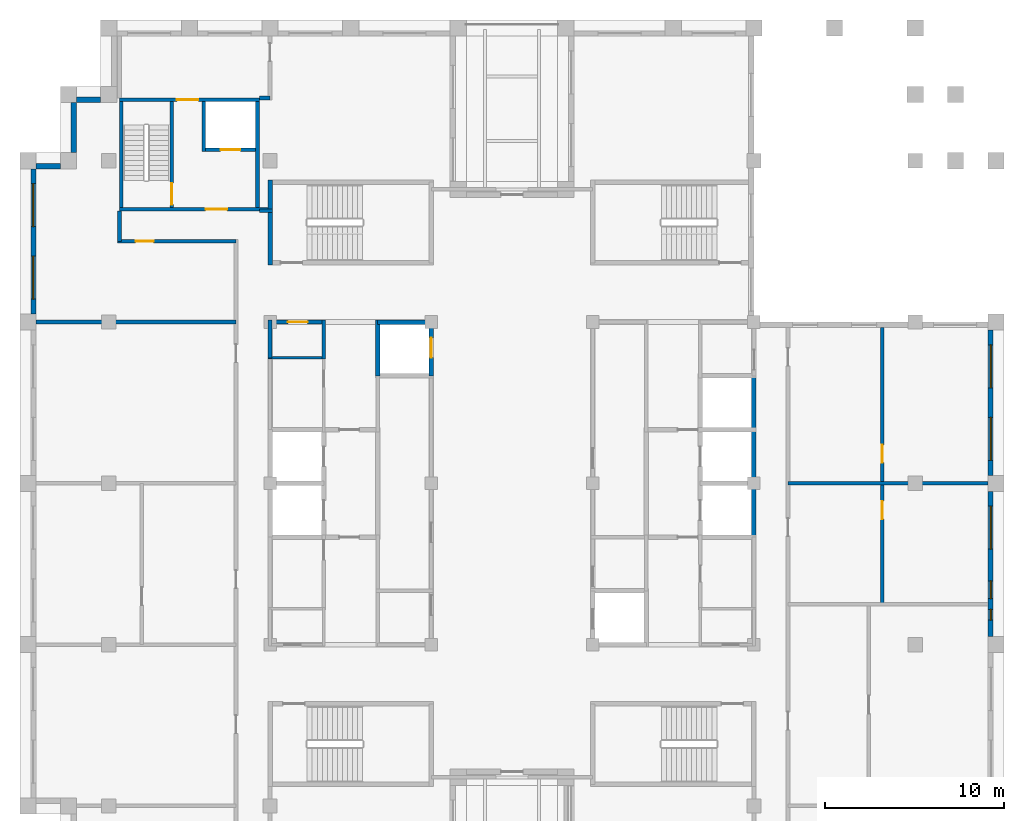
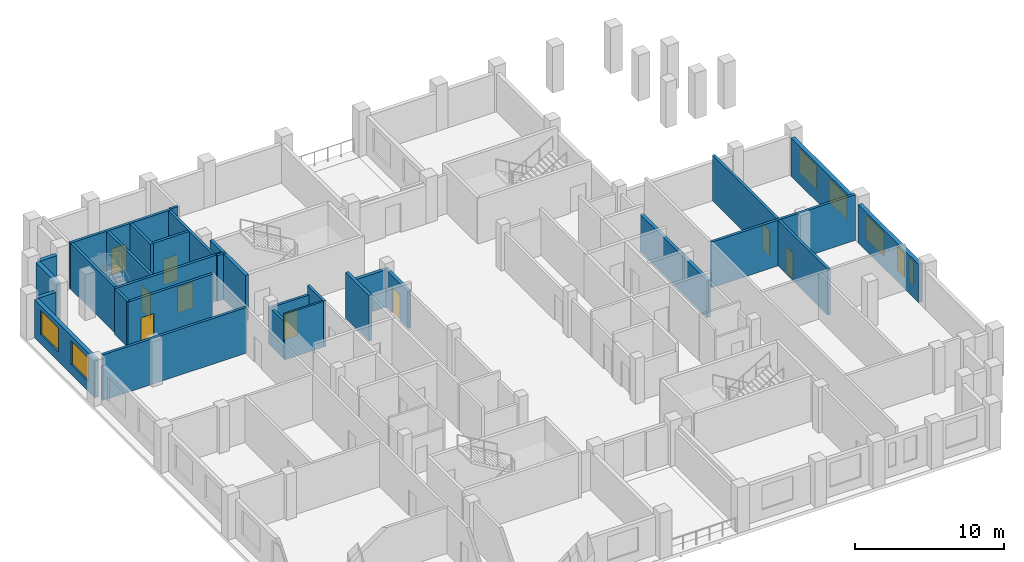
# One storey, part 5 of 8: 29 walls, 9 doors, 7 windows, 16 openings.
"""IFC4 building model written with IfcOpenShell, lengths in metres."""

from ifc_helpers import new_model, si_unit, direction, frame, frame_2d, origin, place, context, subcontext, project, spatial, rectangle, extrude, material, layer, layer_set, type_object, element, fill, save


model = new_model("IFC4")

# Units and contexts
model_context = context("Model", 3, precision=1e-05, world=origin(), true_north=direction((0.0, 1.0)))
body_context = subcontext(model_context, "Body", "Model", "MODEL_VIEW")
ifc_project = project(units=[si_unit("LENGTHUNIT", "METRE"), si_unit("AREAUNIT", "SQUARE_METRE"), si_unit("VOLUMEUNIT", "CUBIC_METRE"), si_unit("PLANEANGLEUNIT", "RADIAN"), si_unit("MASSUNIT", "GRAM", prefix="KILO")], contexts=[model_context])

# Site, building, storey
site_placement = place(None, origin())
site = spatial("IfcSite", under=ifc_project, at=site_placement, CompositionType="ELEMENT")
building_placement = place(site_placement, origin())
building = spatial("IfcBuilding", under=site, at=building_placement, Name="Corbelhall Arena Tower", CompositionType="ELEMENT")
storey_placement = place(building_placement, frame((0.0, 0.0, 326.0)))
storey = spatial("IfcBuildingStorey", under=building, at=storey_placement, Name="L71", CompositionType="ELEMENT", Elevation=326.0)

# Walls
ifc_material_1 = material(Name="Precast concrete C40/50 with granite facing", Category="masonry")
ifc_layer_1 = layer(ifc_material_1, 0.300048828125)
ifc_layer_set_1 = layer_set([ifc_layer_1], Name="EV-IW1 Infill panel 300")
wall_type_1 = type_object("IfcWallType", Name="EV-IW1 Infill panel 300", PredefinedType="SOLIDWALL", material=ifc_layer_set_1)
wall_1_placement = place(storey_placement, frame((-24.449951171875, 21.25, 0.0), z_axis=(0.0, 0.0, 1.0), x_axis=(0.0, -1.0, 0.0)))
element("IfcWall", 1, at=wall_1_placement, inside=storey, type_object=wall_type_1, Name="Infill panel IW1", PredefinedType="SOLIDWALL", context=body_context, shape_type="SweptSolid", body=[
    extrude(rectangle(XDim=2.800048828125, YDim=0.300048828125, at=frame_2d((1.39990234375, 0.0))), origin(), (0.0, 0.0, 1.0), 3.139892578125),
])
wall_2_placement = place(storey_placement, frame((-25.199951171875, 17.699951171875, 0.0), z_axis=(0.0, 0.0, 1.0), x_axis=(-1.0, 0.0, 0.0)))
element("IfcWall", 2, at=wall_2_placement, inside=storey, type_object=wall_type_1, Name="Infill panel IW1", PredefinedType="SOLIDWALL", context=body_context, shape_type="SweptSolid", body=[
    extrude(rectangle(XDim=1.35009765625, YDim=0.300048828125, at=frame_2d((0.675048828125, 0.0))), origin(), (0.0, 0.0, 1.0), 3.139892578125),
])

# Wall, openings, windows
wall_3_placement = place(storey_placement, frame((-26.699951171875, 17.550048828125, 0.0), z_axis=(0.0, 0.0, 1.0), x_axis=(0.0, -1.0, 0.0)))
wall_3 = element("IfcWall", 3, at=wall_3_placement, inside=storey, type_object=wall_type_1, Name="Infill panel IW1", PredefinedType="SOLIDWALL", context=body_context, shape_type="SweptSolid", body=[
    extrude(rectangle(XDim=8.10009765625, YDim=0.300048828125, at=frame_2d((4.050048828125, 0.0))), origin(), (0.0, 0.0, 1.0), 3.139892578125),
])
opening_1_placement = place(wall_3_placement, frame((0.824951171875, 0.0, 0.800048828125)))
opening_1 = element("IfcOpeningElement", 4, at=opening_1_placement, cuts=wall_3, Name="Opening WN1", PredefinedType="OPENING", context=body_context, shape_type="SweptSolid", body=[
    extrude(rectangle(XDim=2.39990234375, YDim=1.949951171875, at=frame_2d((1.199951171875, 0.97509765625))), frame((0.0, 0.14990234375, 0.0), z_axis=(0.0, -1.0, 0.0), x_axis=(1.0, 0.0, 0.0)), (0.0, 0.0, 1.0), 0.300048828125),
])
opening_2_placement = place(wall_3_placement, frame((4.875, 0.0, 0.800048828125)))
opening_2 = element("IfcOpeningElement", 5, at=opening_2_placement, cuts=wall_3, Name="Opening WN1", PredefinedType="OPENING", context=body_context, shape_type="SweptSolid", body=[
    extrude(rectangle(XDim=2.39990234375, YDim=1.949951171875, at=frame_2d((1.199951171875, 0.97509765625))), frame((0.0, 0.14990234375, 0.0), z_axis=(0.0, -1.0, 0.0), x_axis=(1.0, 0.0, 0.0)), (0.0, 0.0, 1.0), 0.300048828125),
])
ifc_material_2 = material(Name="Aluminium black anodised", Category="aluminium")
window_type_1 = type_object("IfcWindowType", Name="EV-WN1 Office window", PartitioningType="SINGLE_PANEL", PredefinedType="WINDOW", material=ifc_material_2)
window_1_placement = place(opening_1_placement, origin())
window_1 = element("IfcWindow", 6, at=window_1_placement, inside=storey, type_object=window_type_1, Name="Window WN1", OverallHeight=1.949951171875, OverallWidth=2.39990234375, PartitioningType="SINGLE_PANEL", PredefinedType="WINDOW", context=body_context, shape_type="SweptSolid", body=[
    extrude(rectangle(XDim=2.39990234375, YDim=1.949951171875, at=frame_2d((1.199951171875, 0.97509765625))), frame((0.0, 0.030029296875, 0.0), z_axis=(0.0, -1.0, 0.0), x_axis=(1.0, 0.0, 0.0)), (0.0, 0.0, 1.0), 0.06005859375),
])
fill(opening_1, window_1)
window_2_placement = place(opening_2_placement, origin())
window_2 = element("IfcWindow", 7, at=window_2_placement, inside=storey, type_object=window_type_1, Name="Window WN1", OverallHeight=1.949951171875, OverallWidth=2.39990234375, PartitioningType="SINGLE_PANEL", PredefinedType="WINDOW", context=body_context, shape_type="SweptSolid", body=[
    extrude(rectangle(XDim=2.39990234375, YDim=1.949951171875, at=frame_2d((1.199951171875, 0.97509765625))), frame((0.0, 0.030029296875, 0.0), z_axis=(0.0, -1.0, 0.0), x_axis=(1.0, 0.0, 0.0)), (0.0, 0.0, 1.0), 0.06005859375),
])
fill(opening_2, window_2)

wall_4_placement = place(storey_placement, frame((26.699951171875, -8.550048828125, 0.0), z_axis=(0.0, 0.0, 1.0), x_axis=(0.0, 1.0, 0.0)))
wall_4 = element("IfcWall", 8, at=wall_4_placement, inside=storey, type_object=wall_type_1, Name="Infill panel IW1", PredefinedType="SOLIDWALL", context=body_context, shape_type="SweptSolid", body=[
    extrude(rectangle(XDim=8.10009765625, YDim=0.300048828125, at=frame_2d((4.050048828125, 0.0))), origin(), (0.0, 0.0, 1.0), 3.139892578125),
])
opening_3_placement = place(wall_4_placement, frame((4.875, 0.0, 0.800048828125)))
opening_3 = element("IfcOpeningElement", 9, at=opening_3_placement, cuts=wall_4, Name="Opening WN1", PredefinedType="OPENING", context=body_context, shape_type="SweptSolid", body=[
    extrude(rectangle(XDim=2.39990234375, YDim=1.949951171875, at=frame_2d((1.199951171875, 0.97509765625))), frame((0.0, 0.14990234375, 0.0), z_axis=(0.0, -1.0, 0.0), x_axis=(1.0, 0.0, 0.0)), (0.0, 0.0, 1.0), 0.300048828125),
])
opening_4_placement = place(wall_4_placement, frame((0.91259765625, 0.0, 0.800048828125)))
opening_4 = element("IfcOpeningElement", 10, at=opening_4_placement, cuts=wall_4, Name="Opening WN5", PredefinedType="OPENING", context=body_context, shape_type="SweptSolid", body=[
    extrude(rectangle(XDim=0.60009765625, YDim=1.949951171875, at=frame_2d((0.300048828125, 0.97509765625))), frame((0.0, 0.14990234375, 0.0), z_axis=(0.0, -1.0, 0.0), x_axis=(1.0, 0.0, 0.0)), (0.0, 0.0, 1.0), 0.300048828125),
])
opening_5_placement = place(wall_4_placement, frame((2.112548828125, 0.0, 0.800048828125)))
opening_5 = element("IfcOpeningElement", 11, at=opening_5_placement, cuts=wall_4, Name="Opening WN6", PredefinedType="OPENING", context=body_context, shape_type="SweptSolid", body=[
    extrude(rectangle(XDim=1.0, YDim=1.949951171875, at=frame_2d((0.5, 0.97509765625))), frame((0.0, 0.14990234375, 0.0), z_axis=(0.0, -1.0, 0.0), x_axis=(1.0, 0.0, 0.0)), (0.0, 0.0, 1.0), 0.300048828125),
])
window_3_placement = place(opening_3_placement, origin())
window_3 = element("IfcWindow", 12, at=window_3_placement, inside=storey, type_object=window_type_1, Name="Window WN1", OverallHeight=1.949951171875, OverallWidth=2.39990234375, PartitioningType="SINGLE_PANEL", PredefinedType="WINDOW", context=body_context, shape_type="SweptSolid", body=[
    extrude(rectangle(XDim=2.39990234375, YDim=1.949951171875, at=frame_2d((1.199951171875, 0.97509765625))), frame((0.0, 0.030029296875, 0.0), z_axis=(0.0, -1.0, 0.0), x_axis=(1.0, 0.0, 0.0)), (0.0, 0.0, 1.0), 0.06005859375),
])
fill(opening_3, window_3)
window_type_2 = type_object("IfcWindowType", Name="EV-WN5 Office window 600", PartitioningType="SINGLE_PANEL", PredefinedType="WINDOW", material=ifc_material_2)
window_4_placement = place(opening_4_placement, origin())
window_4 = element("IfcWindow", 13, at=window_4_placement, inside=storey, type_object=window_type_2, Name="Window WN5", OverallHeight=1.949951171875, OverallWidth=0.60009765625, PartitioningType="SINGLE_PANEL", PredefinedType="WINDOW", context=body_context, shape_type="SweptSolid", body=[
    extrude(rectangle(XDim=0.60009765625, YDim=1.949951171875, at=frame_2d((0.300048828125, 0.97509765625))), frame((0.0, 0.030029296875, 0.0), z_axis=(0.0, -1.0, 0.0), x_axis=(1.0, 0.0, 0.0)), (0.0, 0.0, 1.0), 0.06005859375),
])
fill(opening_4, window_4)
window_type_3 = type_object("IfcWindowType", Name="EV-WN6 Office window 1000", PartitioningType="SINGLE_PANEL", PredefinedType="WINDOW", material=ifc_material_2)
window_5_placement = place(opening_5_placement, origin())
window_5 = element("IfcWindow", 14, at=window_5_placement, inside=storey, type_object=window_type_3, Name="Window WN6", OverallHeight=1.949951171875, OverallWidth=1.0, PartitioningType="SINGLE_PANEL", PredefinedType="WINDOW", context=body_context, shape_type="SweptSolid", body=[
    extrude(rectangle(XDim=1.0, YDim=1.949951171875, at=frame_2d((0.5, 0.97509765625))), frame((0.0, 0.030029296875, 0.0), z_axis=(0.0, -1.0, 0.0), x_axis=(1.0, 0.0, 0.0)), (0.0, 0.0, 1.0), 0.06005859375),
])
fill(opening_5, window_5)

wall_5_placement = place(storey_placement, frame((26.699951171875, 0.449951171875, 0.0), z_axis=(0.0, 0.0, 1.0), x_axis=(0.0, 1.0, 0.0)))
wall_5 = element("IfcWall", 15, at=wall_5_placement, inside=storey, type_object=wall_type_1, Name="Infill panel IW1", PredefinedType="SOLIDWALL", context=body_context, shape_type="SweptSolid", body=[
    extrude(rectangle(XDim=8.10009765625, YDim=0.300048828125, at=frame_2d((4.050048828125, 0.0))), origin(), (0.0, 0.0, 1.0), 3.139892578125),
])
opening_6_placement = place(wall_5_placement, frame((0.824951171875, 0.0, 0.800048828125)))
opening_6 = element("IfcOpeningElement", 16, at=opening_6_placement, cuts=wall_5, Name="Opening WN1", PredefinedType="OPENING", context=body_context, shape_type="SweptSolid", body=[
    extrude(rectangle(XDim=2.39990234375, YDim=1.949951171875, at=frame_2d((1.199951171875, 0.97509765625))), frame((0.0, 0.14990234375, 0.0), z_axis=(0.0, -1.0, 0.0), x_axis=(1.0, 0.0, 0.0)), (0.0, 0.0, 1.0), 0.300048828125),
])
opening_7_placement = place(wall_5_placement, frame((4.875, 0.0, 0.800048828125)))
opening_7 = element("IfcOpeningElement", 17, at=opening_7_placement, cuts=wall_5, Name="Opening WN1", PredefinedType="OPENING", context=body_context, shape_type="SweptSolid", body=[
    extrude(rectangle(XDim=2.39990234375, YDim=1.949951171875, at=frame_2d((1.199951171875, 0.97509765625))), frame((0.0, 0.14990234375, 0.0), z_axis=(0.0, -1.0, 0.0), x_axis=(1.0, 0.0, 0.0)), (0.0, 0.0, 1.0), 0.300048828125),
])
window_6_placement = place(opening_6_placement, origin())
window_6 = element("IfcWindow", 18, at=window_6_placement, inside=storey, type_object=window_type_1, Name="Window WN1", OverallHeight=1.949951171875, OverallWidth=2.39990234375, PartitioningType="SINGLE_PANEL", PredefinedType="WINDOW", context=body_context, shape_type="SweptSolid", body=[
    extrude(rectangle(XDim=2.39990234375, YDim=1.949951171875, at=frame_2d((1.199951171875, 0.97509765625))), frame((0.0, 0.030029296875, 0.0), z_axis=(0.0, -1.0, 0.0), x_axis=(1.0, 0.0, 0.0)), (0.0, 0.0, 1.0), 0.06005859375),
])
fill(opening_6, window_6)
window_7_placement = place(opening_7_placement, origin())
window_7 = element("IfcWindow", 19, at=window_7_placement, inside=storey, type_object=window_type_1, Name="Window WN1", OverallHeight=1.949951171875, OverallWidth=2.39990234375, PartitioningType="SINGLE_PANEL", PredefinedType="WINDOW", context=body_context, shape_type="SweptSolid", body=[
    extrude(rectangle(XDim=2.39990234375, YDim=1.949951171875, at=frame_2d((1.199951171875, 0.97509765625))), frame((0.0, 0.030029296875, 0.0), z_axis=(0.0, -1.0, 0.0), x_axis=(1.0, 0.0, 0.0)), (0.0, 0.0, 1.0), 0.06005859375),
])
fill(opening_7, window_7)

# Walls
wall_6_placement = place(storey_placement, frame((-22.949951171875, 21.39990234375, 0.0), z_axis=(0.0, 0.0, 1.0), x_axis=(-1.0, 0.0, 0.0)))
element("IfcWall", 20, at=wall_6_placement, inside=storey, type_object=wall_type_1, Name="Infill panel IW1", PredefinedType="SOLIDWALL", context=body_context, shape_type="SweptSolid", body=[
    extrude(rectangle(XDim=1.35009765625, YDim=0.300048828125, at=frame_2d((0.675048828125, 0.0))), origin(), (0.0, 0.0, 1.0), 3.139892578125),
])
ifc_material_3 = material(Name="Gypsum board on steel stud, acoustic", Category="steel")
ifc_layer_2 = layer(ifc_material_3, 0.199951171875)
ifc_layer_set_2 = layer_set([ifc_layer_2], Name="IN-W-DM200")
wall_type_2 = type_object("IfcWallType", Name="IN-W-DM200", PredefinedType="PARTITIONING", material=ifc_layer_set_2)
wall_7_placement = place(storey_placement, frame((-26.550048828125, 9.0, 0.0), z_axis=(0.0, 0.0, 1.0), x_axis=(1.0, 0.0, 0.0)))
element("IfcWall", 21, at=wall_7_placement, inside=storey, type_object=wall_type_2, Name="Partition 002", PredefinedType="PARTITIONING", context=body_context, shape_type="SweptSolid", body=[
    extrude(rectangle(XDim=11.150146484375, YDim=0.199951171875, at=frame_2d((5.5751953125, 0.0))), origin(), (0.0, 0.0, 1.0), 3.739990234375),
])
wall_8_placement = place(storey_placement, frame((-21.89990234375, 13.5, 0.0), z_axis=(0.0, 0.0, 1.0), x_axis=(0.0, 1.0, 0.0)))
element("IfcWall", 22, at=wall_8_placement, inside=storey, type_object=wall_type_2, Name="Partition 004", PredefinedType="PARTITIONING", context=body_context, shape_type="SweptSolid", body=[
    extrude(rectangle(XDim=1.699951171875, YDim=0.199951171875, at=frame_2d((0.85009765625, 0.0))), origin(), (0.0, 0.0, 1.0), 3.739990234375),
])

# Wall, opening, door
wall_9_placement = place(storey_placement, frame((-15.39990234375, 13.5, 0.0), z_axis=(0.0, 0.0, 1.0), x_axis=(-1.0, 0.0, 0.0)))
wall_9 = element("IfcWall", 23, at=wall_9_placement, inside=storey, type_object=wall_type_2, Name="Partition 009", PredefinedType="PARTITIONING", context=body_context, shape_type="SweptSolid", body=[
    extrude(rectangle(XDim=6.60009765625, YDim=0.199951171875, at=frame_2d((3.300048828125, 0.0))), origin(), (0.0, 0.0, 1.0), 3.739990234375),
])
opening_8_placement = place(wall_9_placement, frame((4.60009765625, 0.0, 0.0)))
opening_8 = element("IfcOpeningElement", 24, at=opening_8_placement, cuts=wall_9, Name="Opening 23023", PredefinedType="OPENING", context=body_context, shape_type="SweptSolid", body=[
    extrude(rectangle(XDim=1.0, YDim=2.10009765625, at=frame_2d((0.5, 1.050048828125))), frame((0.0, 0.10009765625, 0.0), z_axis=(0.0, -1.0, 0.0), x_axis=(1.0, 0.0, 0.0)), (0.0, 0.0, 1.0), 0.199951171875),
])
ifc_material_4 = material(Name="Steel door set", Category="steel")
door_type_1 = type_object("IfcDoorType", Name="IN-D-SW100", OperationType="NOTDEFINED", PredefinedType="DOOR", material=ifc_material_4)
door_1_placement = place(opening_8_placement, origin())
door_1 = element("IfcDoor", 25, at=door_1_placement, inside=storey, type_object=door_type_1, Name="Door 023", OperationType="SINGLE_SWING_RIGHT", OverallHeight=2.10009765625, OverallWidth=1.0, PredefinedType="DOOR", context=body_context, shape_type="SweptSolid", body=[
    extrude(rectangle(XDim=1.0, YDim=2.10009765625, at=frame_2d((0.5, 1.050048828125))), frame((0.0, 0.02490234375, 0.0), z_axis=(0.0, -1.0, 0.0), x_axis=(1.0, 0.0, 0.0)), (0.0, 0.0, 1.0), 0.050048828125),
])
fill(opening_8, door_1)

# Walls
wall_10_placement = place(storey_placement, frame((-14.10009765625, 15.199951171875, 0.0), z_axis=(0.0, 0.0, 1.0), x_axis=(1.0, 0.0, 0.0)))
element("IfcWall", 26, at=wall_10_placement, inside=storey, type_object=wall_type_2, Name="Partition 010", PredefinedType="PARTITIONING", context=body_context, shape_type="SweptSolid", body=[
    extrude(rectangle(XDim=0.72509765625, YDim=0.199951171875, at=frame_2d((0.362548828125, 0.0))), origin(), (0.0, 0.0, 1.0), 3.739990234375),
])
wall_11_placement = place(storey_placement, frame((-13.5, 21.5, 0.0), z_axis=(0.0, 0.0, 1.0), x_axis=(-1.0, 0.0, 0.0)))
element("IfcWall", 27, at=wall_11_placement, inside=storey, type_object=wall_type_2, Name="Partition 012", PredefinedType="PARTITIONING", context=body_context, shape_type="SweptSolid", body=[
    extrude(rectangle(XDim=0.60009765625, YDim=0.199951171875, at=frame_2d((0.300048828125, 0.0))), origin(), (0.0, 0.0, 1.0), 3.739990234375),
])

# Wall, openings, doors
wall_12_placement = place(storey_placement, frame((20.64990234375, 8.699951171875, 0.0), z_axis=(0.0, 0.0, 1.0), x_axis=(0.0, -1.0, 0.0)))
wall_12 = element("IfcWall", 28, at=wall_12_placement, inside=storey, type_object=wall_type_2, Name="Partition 024", PredefinedType="PARTITIONING", context=body_context, shape_type="SweptSolid", body=[
    extrude(rectangle(XDim=15.449951171875, YDim=0.199951171875, at=frame_2d((7.72509765625, 0.0))), origin(), (0.0, 0.0, 1.0), 3.739990234375),
])
opening_9_placement = place(wall_12_placement, frame((6.550048828125, 0.0, 0.0)))
opening_9 = element("IfcOpeningElement", 29, at=opening_9_placement, cuts=wall_12, Name="Opening 23029", PredefinedType="OPENING", context=body_context, shape_type="SweptSolid", body=[
    extrude(rectangle(XDim=1.0, YDim=2.10009765625, at=frame_2d((0.5, 1.050048828125))), frame((0.0, 0.10009765625, 0.0), z_axis=(0.0, -1.0, 0.0), x_axis=(1.0, 0.0, 0.0)), (0.0, 0.0, 1.0), 0.199951171875),
])
opening_10_placement = place(wall_12_placement, frame((9.699951171875, 0.0, 0.0)))
opening_10 = element("IfcOpeningElement", 30, at=opening_10_placement, cuts=wall_12, Name="Opening 23034", PredefinedType="OPENING", context=body_context, shape_type="SweptSolid", body=[
    extrude(rectangle(XDim=1.0, YDim=2.10009765625, at=frame_2d((0.5, 1.050048828125))), frame((0.0, 0.10009765625, 0.0), z_axis=(0.0, -1.0, 0.0), x_axis=(1.0, 0.0, 0.0)), (0.0, 0.0, 1.0), 0.199951171875),
])
door_2_placement = place(opening_9_placement, origin())
door_2 = element("IfcDoor", 31, at=door_2_placement, inside=storey, type_object=door_type_1, Name="Door 029", OperationType="SINGLE_SWING_RIGHT", OverallHeight=2.10009765625, OverallWidth=1.0, PredefinedType="DOOR", context=body_context, shape_type="SweptSolid", body=[
    extrude(rectangle(XDim=1.0, YDim=2.10009765625, at=frame_2d((0.5, 1.050048828125))), frame((0.0, 0.02490234375, 0.0), z_axis=(0.0, -1.0, 0.0), x_axis=(1.0, 0.0, 0.0)), (0.0, 0.0, 1.0), 0.050048828125),
])
fill(opening_9, door_2)
door_3_placement = place(opening_10_placement, origin())
door_3 = element("IfcDoor", 32, at=door_3_placement, inside=storey, type_object=door_type_1, Name="Door 034", OperationType="SINGLE_SWING_LEFT", OverallHeight=2.10009765625, OverallWidth=1.0, PredefinedType="DOOR", context=body_context, shape_type="SweptSolid", body=[
    extrude(rectangle(XDim=1.0, YDim=2.10009765625, at=frame_2d((0.5, 1.050048828125))), frame((0.0, 0.02490234375, 0.0), z_axis=(0.0, -1.0, 0.0), x_axis=(1.0, 0.0, 0.0)), (0.0, 0.0, 1.0), 0.050048828125),
])
fill(opening_10, door_3)

# Wall
wall_13_placement = place(storey_placement, frame((26.550048828125, 0.0, 0.0), z_axis=(0.0, 0.0, 1.0), x_axis=(-1.0, 0.0, 0.0)))
element("IfcWall", 33, at=wall_13_placement, inside=storey, type_object=wall_type_2, Name="Partition 025", PredefinedType="PARTITIONING", context=body_context, shape_type="SweptSolid", body=[
    extrude(rectangle(XDim=11.150146484375, YDim=0.199951171875, at=frame_2d((5.5751953125, 0.0))), origin(), (0.0, 0.0, 1.0), 3.739990234375),
])

# Wall, opening, door
ifc_material_5 = material(Name="Concrete C40/50", Category="concrete")
ifc_layer_3 = layer(ifc_material_5, 0.199951171875)
ifc_layer_set_3 = layer_set([ifc_layer_3], Name="IN-W-EAR200")
wall_type_3 = type_object("IfcWallType", Name="IN-W-EAR200", PredefinedType="SOLIDWALL", material=ifc_layer_set_3)
wall_14_placement = place(storey_placement, frame((-21.89990234375, 15.300048828125, 0.0), z_axis=(0.0, 0.0, 1.0), x_axis=(1.0, 0.0, 0.0)))
wall_14 = element("IfcWall", 34, at=wall_14_placement, inside=storey, type_object=wall_type_3, Name="Fire service turret wall south", PredefinedType="SOLIDWALL", context=body_context, shape_type="SweptSolid", body=[
    extrude(rectangle(XDim=8.27490234375, YDim=0.199951171875, at=frame_2d((4.137451171875, 0.0))), origin(), (0.0, 0.0, 1.0), 3.739990234375),
])
opening_11_placement = place(wall_14_placement, frame((4.800048828125, 0.0, 0.0)))
opening_11 = element("IfcOpeningElement", 35, at=opening_11_placement, cuts=wall_14, Name="Opening E232", PredefinedType="OPENING", context=body_context, shape_type="SweptSolid", body=[
    extrude(rectangle(XDim=1.199951171875, YDim=2.10009765625, at=frame_2d((0.60009765625, 1.050048828125))), frame((0.0, 0.10009765625, 0.0), z_axis=(0.0, -1.0, 0.0), x_axis=(1.0, 0.0, 0.0)), (0.0, 0.0, 1.0), 0.199951171875),
])
door_type_2 = type_object("IfcDoorType", Name="IN-D-ST120", OperationType="NOTDEFINED", PredefinedType="DOOR", material=ifc_material_4)
door_4_placement = place(opening_11_placement, origin())
door_4 = element("IfcDoor", 36, at=door_4_placement, inside=storey, type_object=door_type_2, Name="Door from fire service lift lobby to circulation", OperationType="SINGLE_SWING_RIGHT", OverallHeight=2.10009765625, OverallWidth=1.199951171875, PredefinedType="DOOR", context=body_context, shape_type="SweptSolid", body=[
    extrude(rectangle(XDim=1.199951171875, YDim=2.10009765625, at=frame_2d((0.60009765625, 1.050048828125))), frame((0.0, 0.02490234375, 0.0), z_axis=(0.0, -1.0, 0.0), x_axis=(1.0, 0.0, 0.0)), (0.0, 0.0, 1.0), 0.050048828125),
])
fill(opening_11, door_4)

wall_15_placement = place(storey_placement, frame((-21.89990234375, 21.39990234375, 0.0), z_axis=(0.0, 0.0, 1.0), x_axis=(1.0, 0.0, 0.0)))
wall_15 = element("IfcWall", 37, at=wall_15_placement, inside=storey, type_object=wall_type_3, Name="Fire service turret wall north", PredefinedType="SOLIDWALL", context=body_context, shape_type="SweptSolid", body=[
    extrude(rectangle(XDim=7.7998046875, YDim=0.199951171875, at=frame_2d((3.89990234375, 0.0))), origin(), (0.0, 0.0, 1.0), 3.739990234375),
])
opening_12_placement = place(wall_15_placement, frame((3.199951171875, 0.0, 0.0)))
opening_12 = element("IfcOpeningElement", 38, at=opening_12_placement, cuts=wall_15, Name="Opening E233", PredefinedType="OPENING", context=body_context, shape_type="SweptSolid", body=[
    extrude(rectangle(XDim=1.199951171875, YDim=2.10009765625, at=frame_2d((0.60009765625, 1.050048828125))), frame((0.0, 0.10009765625, 0.0), z_axis=(0.0, -1.0, 0.0), x_axis=(1.0, 0.0, 0.0)), (0.0, 0.0, 1.0), 0.199951171875),
])
door_5_placement = place(opening_12_placement, origin())
door_5 = element("IfcDoor", 39, at=door_5_placement, inside=storey, type_object=door_type_2, Name="Door from fire service lift lobby to the north gallery", OperationType="SINGLE_SWING_LEFT", OverallHeight=2.10009765625, OverallWidth=1.199951171875, PredefinedType="DOOR", context=body_context, shape_type="SweptSolid", body=[
    extrude(rectangle(XDim=1.199951171875, YDim=2.10009765625, at=frame_2d((0.60009765625, 1.050048828125))), frame((0.0, 0.02490234375, 0.0), z_axis=(0.0, -1.0, 0.0), x_axis=(1.0, 0.0, 0.0)), (0.0, 0.0, 1.0), 0.050048828125),
])
fill(opening_12, door_5)

# Walls
for number, where, z_axis, x_axis, name in (
    (40, (-21.800048828125, 15.39990234375, 0.0), (0.0, 0.0, 1.0), (0.0, 1.0, 0.0), "Fire service turret wall west"),
    (41, (-14.199951171875, 15.39990234375, 0.0), (0.0, 0.0, 1.0), (0.0, 1.0, 0.0), "Fire service turret wall east"),
):
    element("IfcWall", number, at=place(storey_placement, frame(where, z_axis=z_axis, x_axis=x_axis)), inside=storey, type_object=wall_type_3, Name=name, PredefinedType="SOLIDWALL", context=body_context, shape_type="SweptSolid", body=[
        extrude(rectangle(XDim=5.900146484375, YDim=0.199951171875, at=frame_2d((2.9501953125, 0.0))), origin(), (0.0, 0.0, 1.0), 3.739990234375),
    ])

# Wall, opening, door
wall_16_placement = place(storey_placement, frame((-18.989990234375, 15.39990234375, 0.0), z_axis=(0.0, 0.0, 1.0), x_axis=(0.0, 1.0, 0.0)))
wall_16 = element("IfcWall", 42, at=wall_16_placement, inside=storey, type_object=wall_type_3, Name="Fire service turret wall stair", PredefinedType="SOLIDWALL", context=body_context, shape_type="SweptSolid", body=[
    extrude(rectangle(XDim=5.900146484375, YDim=0.199951171875, at=frame_2d((2.9501953125, 0.0))), origin(), (0.0, 0.0, 1.0), 3.739990234375),
])
opening_13_placement = place(wall_16_placement, frame((0.14990234375, 0.0, 0.0)))
opening_13 = element("IfcOpeningElement", 43, at=opening_13_placement, cuts=wall_16, Name="Opening E231", PredefinedType="OPENING", context=body_context, shape_type="SweptSolid", body=[
    extrude(rectangle(XDim=1.199951171875, YDim=2.10009765625, at=frame_2d((0.60009765625, 1.050048828125))), frame((0.0, 0.10009765625, 0.0), z_axis=(0.0, -1.0, 0.0), x_axis=(1.0, 0.0, 0.0)), (0.0, 0.0, 1.0), 0.199951171875),
])
door_6_placement = place(opening_13_placement, origin())
door_6 = element("IfcDoor", 44, at=door_6_placement, inside=storey, type_object=door_type_2, Name="Stair door to fire service lobby", OperationType="SINGLE_SWING_LEFT", OverallHeight=2.10009765625, OverallWidth=1.199951171875, PredefinedType="DOOR", context=body_context, shape_type="SweptSolid", body=[
    extrude(rectangle(XDim=1.199951171875, YDim=2.10009765625, at=frame_2d((0.60009765625, 1.050048828125))), frame((0.0, 0.02490234375, 0.0), z_axis=(0.0, -1.0, 0.0), x_axis=(1.0, 0.0, 0.0)), (0.0, 0.0, 1.0), 0.050048828125),
])
fill(opening_13, door_6)

# Wall
wall_17_placement = place(storey_placement, frame((-17.199951171875, 18.5, 0.0), z_axis=(0.0, 0.0, 1.0), x_axis=(0.0, 1.0, 0.0)))
element("IfcWall", 45, at=wall_17_placement, inside=storey, type_object=wall_type_3, Name="Fire service turret wall hoistway west", PredefinedType="SOLIDWALL", context=body_context, shape_type="SweptSolid", body=[
    extrude(rectangle(XDim=2.800048828125, YDim=0.199951171875, at=frame_2d((1.39990234375, 0.0))), origin(), (0.0, 0.0, 1.0), 3.739990234375),
])

# Wall, opening, door
wall_18_placement = place(storey_placement, frame((-17.10009765625, 18.60009765625, 0.0), z_axis=(0.0, 0.0, 1.0), x_axis=(1.0, 0.0, 0.0)))
wall_18 = element("IfcWall", 46, at=wall_18_placement, inside=storey, type_object=wall_type_3, Name="Fire service turret wall hoistway south", PredefinedType="SOLIDWALL", context=body_context, shape_type="SweptSolid", body=[
    extrude(rectangle(XDim=2.800048828125, YDim=0.199951171875, at=frame_2d((1.39990234375, 0.0))), origin(), (0.0, 0.0, 1.0), 3.739990234375),
])
opening_14_placement = place(wall_18_placement, frame((0.85009765625, 0.0, 0.0)))
opening_14 = element("IfcOpeningElement", 47, at=opening_14_placement, cuts=wall_18, Name="Opening LD", PredefinedType="OPENING", context=body_context, shape_type="SweptSolid", body=[
    extrude(rectangle(XDim=1.10009765625, YDim=2.10009765625, at=frame_2d((0.550048828125, 1.050048828125))), frame((0.0, 0.10009765625, 0.0), z_axis=(0.0, -1.0, 0.0), x_axis=(1.0, 0.0, 0.0)), (0.0, 0.0, 1.0), 0.199951171875),
])
door_type_3 = type_object("IfcDoorType", Name="IN-D-LD110", OperationType="NOTDEFINED", PredefinedType="DOOR", material=ifc_material_4)
door_7_placement = place(opening_14_placement, origin())
door_7 = element("IfcDoor", 48, at=door_7_placement, inside=storey, type_object=door_type_3, Name="Landing door FS1", OperationType="SLIDING_TO_LEFT", OverallHeight=2.10009765625, OverallWidth=1.10009765625, PredefinedType="DOOR", context=body_context, shape_type="SweptSolid", body=[
    extrude(rectangle(XDim=1.10009765625, YDim=2.10009765625, at=frame_2d((0.550048828125, 1.050048828125))), frame((0.0, 0.02490234375, 0.0), z_axis=(0.0, -1.0, 0.0), x_axis=(1.0, 0.0, 0.0)), (0.0, 0.0, 1.0), 0.050048828125),
])
fill(opening_14, door_7)

# Walls
ifc_material_6 = material(Name="Concrete block wall", Category="concrete")
ifc_layer_4 = layer(ifc_material_6, 0.199951171875)
ifc_layer_set_4 = layer_set([ifc_layer_4], Name="IN-W-RS200")
wall_type_4 = type_object("IfcWallType", Name="IN-W-RS200", PredefinedType="SOLIDWALL", material=ifc_layer_set_4)
wall_19_placement = place(storey_placement, frame((-10.5, 6.925048828125, 0.0), z_axis=(0.0, 0.0, 1.0), x_axis=(0.0, 1.0, 0.0)))
element("IfcWall", 49, at=wall_19_placement, inside=storey, type_object=wall_type_4, Name="Partition 030", PredefinedType="SOLIDWALL", context=body_context, shape_type="SweptSolid", body=[
    extrude(rectangle(XDim=2.175048828125, YDim=0.199951171875, at=frame_2d((1.08740234375, 0.0))), origin(), (0.0, 0.0, 1.0), 3.739990234375),
])
ifc_layer_5 = layer(ifc_material_6, 0.199951171875)
ifc_layer_set_5 = layer_set([ifc_layer_5], Name="IN-W-RS200 under beam 678 mm")
wall_type_5 = type_object("IfcWallType", Name="IN-W-RS200 under beam 678 mm", PredefinedType="SOLIDWALL", material=ifc_layer_set_5)
wall_20_placement = place(storey_placement, frame((-13.5, 7.0, 0.0), z_axis=(0.0, 0.0, 1.0), x_axis=(0.0, 1.0, 0.0)))
element("IfcWall", 50, at=wall_20_placement, inside=storey, type_object=wall_type_5, Name="Partition 027", PredefinedType="SOLIDWALL", context=body_context, shape_type="SweptSolid", body=[
    extrude(rectangle(XDim=2.10009765625, YDim=0.199951171875, at=frame_2d((1.050048828125, 0.0))), origin(), (0.0, 0.0, 1.0), 3.061767578125),
])

# Wall, opening, door
wall_21_placement = place(storey_placement, frame((-13.5, 9.0, 0.0), z_axis=(0.0, 0.0, 1.0), x_axis=(1.0, 0.0, 0.0)))
wall_21 = element("IfcWall", 51, at=wall_21_placement, inside=storey, type_object=wall_type_5, Name="Partition 028", PredefinedType="SOLIDWALL", context=body_context, shape_type="SweptSolid", body=[
    extrude(rectangle(XDim=3.0, YDim=0.199951171875, at=frame_2d((1.5, 0.0))), origin(), (0.0, 0.0, 1.0), 3.061767578125),
])
opening_15_placement = place(wall_21_placement, frame((1.0, 0.0, 0.0)))
opening_15 = element("IfcOpeningElement", 52, at=opening_15_placement, cuts=wall_21, Name="Opening 23008", PredefinedType="OPENING", context=body_context, shape_type="SweptSolid", body=[
    extrude(rectangle(XDim=1.10009765625, YDim=2.10009765625, at=frame_2d((0.550048828125, 1.050048828125))), frame((0.0, 0.10009765625, 0.0), z_axis=(0.0, -1.0, 0.0), x_axis=(1.0, 0.0, 0.0)), (0.0, 0.0, 1.0), 0.199951171875),
])
door_type_4 = type_object("IfcDoorType", Name="IN-D-FD110", OperationType="NOTDEFINED", PredefinedType="DOOR", material=ifc_material_4)
door_8_placement = place(opening_15_placement, origin())
door_8 = element("IfcDoor", 53, at=door_8_placement, inside=storey, type_object=door_type_4, Name="Door 008", OperationType="SINGLE_SWING_LEFT", OverallHeight=2.10009765625, OverallWidth=1.10009765625, PredefinedType="DOOR", context=body_context, shape_type="SweptSolid", body=[
    extrude(rectangle(XDim=1.10009765625, YDim=2.10009765625, at=frame_2d((0.550048828125, 1.050048828125))), frame((0.0, 0.02490234375, 0.0), z_axis=(0.0, -1.0, 0.0), x_axis=(1.0, 0.0, 0.0)), (0.0, 0.0, 1.0), 0.050048828125),
])
fill(opening_15, door_8)

# Walls
ifc_layer_6 = layer(ifc_material_5, 0.25)
ifc_layer_set_6 = layer_set([ifc_layer_6], Name="IN-W-SH250")
wall_type_6 = type_object("IfcWallType", Name="IN-W-SH250", PredefinedType="SOLIDWALL", material=ifc_layer_set_6)
wall_22_placement = place(storey_placement, frame((-7.5, 6.0, 0.0), z_axis=(0.0, 0.0, 1.0), x_axis=(0.0, 1.0, 0.0)))
element("IfcWall", 54, at=wall_22_placement, inside=storey, type_object=wall_type_6, Name="Shaft wall 053", PredefinedType="SOLIDWALL", context=body_context, shape_type="SweptSolid", body=[
    extrude(rectangle(XDim=3.125, YDim=0.25, at=frame_2d((1.5625, 0.0))), origin(), (0.0, 0.0, 1.0), 3.739990234375),
])
ifc_layer_7 = layer(ifc_material_5, 0.25)
ifc_layer_set_7 = layer_set([ifc_layer_7], Name="IN-W-SH250 under beam 678 mm")
wall_type_7 = type_object("IfcWallType", Name="IN-W-SH250 under beam 678 mm", PredefinedType="SOLIDWALL", material=ifc_layer_set_7)
wall_23_placement = place(storey_placement, frame((-7.5, 9.0, 0.0), z_axis=(0.0, 0.0, 1.0), x_axis=(1.0, 0.0, 0.0)))
element("IfcWall", 55, at=wall_23_placement, inside=storey, type_object=wall_type_7, Name="Shaft wall 054", PredefinedType="SOLIDWALL", context=body_context, shape_type="SweptSolid", body=[
    extrude(rectangle(XDim=3.0, YDim=0.25, at=frame_2d((1.5, 0.0))), origin(), (0.0, 0.0, 1.0), 3.061767578125),
])

# Wall, opening, door
wall_24_placement = place(storey_placement, frame((-4.5, 9.125, 0.0), z_axis=(0.0, 0.0, 1.0), x_axis=(0.0, -1.0, 0.0)))
wall_24 = element("IfcWall", 56, at=wall_24_placement, inside=storey, type_object=wall_type_7, Name="Shaft wall 055", PredefinedType="SOLIDWALL", context=body_context, shape_type="SweptSolid", body=[
    extrude(rectangle(XDim=3.125, YDim=0.25, at=frame_2d((1.5625, 0.0))), origin(), (0.0, 0.0, 1.0), 3.061767578125),
])
opening_16_placement = place(wall_24_placement, frame((1.012451171875, 0.0, 0.0)))
opening_16 = element("IfcOpeningElement", 57, at=opening_16_placement, cuts=wall_24, Name="Opening LD", PredefinedType="OPENING", context=body_context, shape_type="SweptSolid", body=[
    extrude(rectangle(XDim=1.10009765625, YDim=2.10009765625, at=frame_2d((0.550048828125, 1.050048828125))), frame((0.0, 0.125, 0.0), z_axis=(0.0, -1.0, 0.0), x_axis=(1.0, 0.0, 0.0)), (0.0, 0.0, 1.0), 0.25),
])
door_9_placement = place(opening_16_placement, origin())
door_9 = element("IfcDoor", 58, at=door_9_placement, inside=storey, type_object=door_type_3, Name="Landing door W6", OperationType="SLIDING_TO_LEFT", OverallHeight=2.10009765625, OverallWidth=1.10009765625, PredefinedType="DOOR", context=body_context, shape_type="SweptSolid", body=[
    extrude(rectangle(XDim=1.10009765625, YDim=2.10009765625, at=frame_2d((0.550048828125, 1.050048828125))), frame((0.0, 0.02490234375, 0.0), z_axis=(0.0, -1.0, 0.0), x_axis=(1.0, 0.0, 0.0)), (0.0, 0.0, 1.0), 0.050048828125),
])
fill(opening_16, door_9)

# Walls
wall_25_placement = place(storey_placement, frame((13.5, 6.0, 0.0), z_axis=(0.0, 0.0, 1.0), x_axis=(0.0, -1.0, 0.0)))
element("IfcWall", 59, at=wall_25_placement, inside=storey, type_object=wall_type_7, Name="Shaft wall 066", PredefinedType="SOLIDWALL", context=body_context, shape_type="SweptSolid", body=[
    extrude(rectangle(XDim=9.0, YDim=0.25, at=frame_2d((4.5, 0.0))), origin(), (0.0, 0.0, 1.0), 3.061767578125),
])
ifc_layer_8 = layer(ifc_material_5, 0.25)
ifc_layer_set_8 = layer_set([ifc_layer_8], Name="IN-W-ST250")
wall_type_8 = type_object("IfcWallType", Name="IN-W-ST250", PredefinedType="SOLIDWALL", material=ifc_layer_set_8)
wall_26_placement = place(storey_placement, frame((-13.5, 12.175048828125, 0.0), z_axis=(0.0, 0.0, 1.0), x_axis=(0.0, 1.0, 0.0)))
element("IfcWall", 60, at=wall_26_placement, inside=storey, type_object=wall_type_8, Name="Shaft wall 069", PredefinedType="SOLIDWALL", context=body_context, shape_type="SweptSolid", body=[
    extrude(rectangle(XDim=4.75, YDim=0.25, at=frame_2d((2.375, 0.0))), origin(), (0.0, 0.0, 1.0), 3.739990234375),
])
ifc_material_7 = material(Name="Gypsum board on steel stud, moisture resistant", Category="steel")
ifc_layer_9 = layer(ifc_material_7, 0.14990234375)
ifc_layer_set_9 = layer_set([ifc_layer_9], Name="IN-W-WC150")
wall_type_9 = type_object("IfcWallType", Name="IN-W-WC150", PredefinedType="PARTITIONING", material=ifc_layer_set_9)
wall_27_placement = place(storey_placement, frame((-13.60009765625, 7.0, 0.0), z_axis=(0.0, 0.0, 1.0), x_axis=(1.0, 0.0, 0.0)))
element("IfcWall", 61, at=wall_27_placement, inside=storey, type_object=wall_type_9, Name="Partition 083", PredefinedType="PARTITIONING", context=body_context, shape_type="SweptSolid", body=[
    extrude(rectangle(XDim=3.10009765625, YDim=0.14990234375, at=frame_2d((1.550048828125, 0.0))), origin(), (0.0, 0.0, 1.0), 3.739990234375),
])

save(model, "model.ifc")
